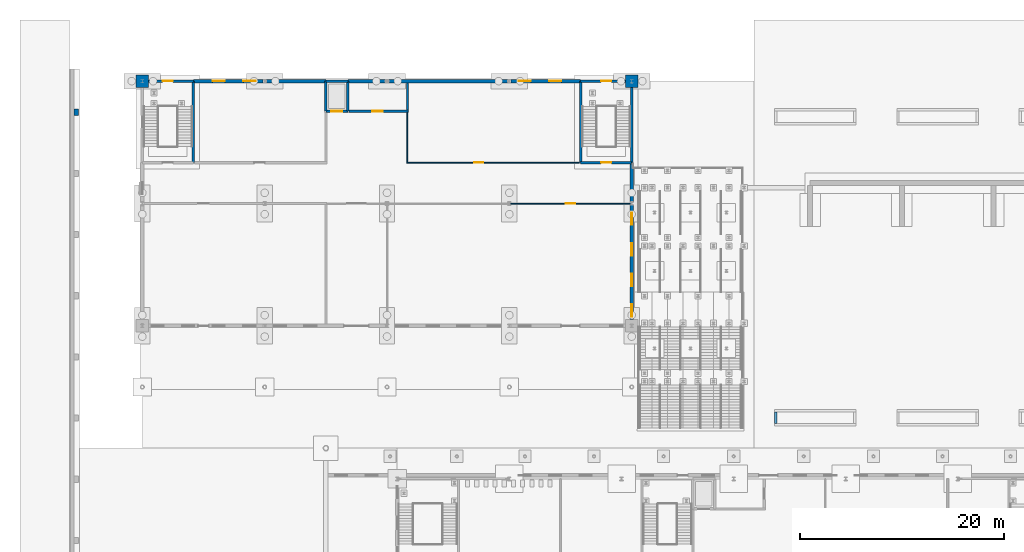
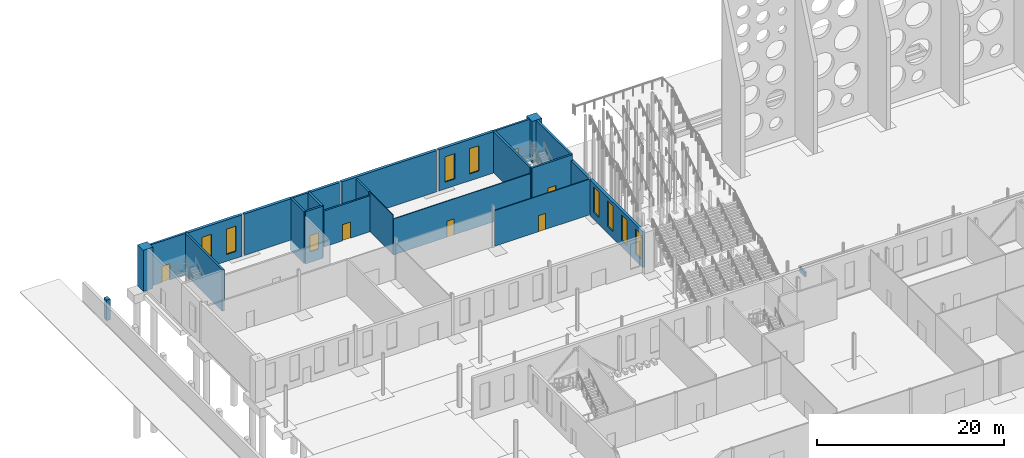
# One storey, part 75 of 132: 26 walls, 8 windows, 7 doors, 15 openings.
"""IFC4 building model written with IfcOpenShell, lengths in metres."""

from ifc_helpers import new_model, si_unit, direction, frame, frame_2d, origin, place, context, subcontext, project, spatial, rectangle, extrude, material, layer, layer_set, type_object, element, fill, save


model = new_model("IFC4")

# Units and contexts
model_context = context("Model", 3, precision=1e-05, world=origin(), true_north=direction((0.0, 1.0)))
body_context = subcontext(model_context, "Body", "Model", "MODEL_VIEW")
ifc_project = project(units=[si_unit("LENGTHUNIT", "METRE"), si_unit("AREAUNIT", "SQUARE_METRE"), si_unit("VOLUMEUNIT", "CUBIC_METRE"), si_unit("PLANEANGLEUNIT", "RADIAN"), si_unit("MASSUNIT", "GRAM", prefix="KILO")], contexts=[model_context])

# Site, building, storey
site_placement = place(None, origin())
site = spatial("IfcSite", under=ifc_project, at=site_placement, CompositionType="ELEMENT")
building_placement = place(site_placement, origin())
building = spatial("IfcBuilding", under=site, at=building_placement, Name="Ravi Spectrum Wholesale Market", CompositionType="ELEMENT")
storey_placement = place(building_placement, origin())
storey = spatial("IfcBuildingStorey", under=building, at=storey_placement, Name="L00", CompositionType="ELEMENT", Elevation=0.0)

# Wall, opening, door
ifc_material_1 = material(Name="Concrete blockwork", Category="masonry")
ifc_layer_1 = layer(ifc_material_1, 0.199951171875)
ifc_layer_set_1 = layer_set([ifc_layer_1], Name="Concrete blockwork")
wall_type_1 = type_object("IfcWallType", Name="Blockwork partition 200 fire", PredefinedType="PARTITIONING", material=ifc_layer_set_1)
wall_1_placement = place(storey_placement, frame((32.27490234375, 231.050048828125, 0.0), z_axis=(0.0, 0.0, 1.0), x_axis=(1.0, 0.0, 0.0)))
wall_1 = element("IfcWall", 1, at=wall_1_placement, inside=storey, type_object=wall_type_1, Name="OF-WL-L00-033", PredefinedType="PARTITIONING", context=body_context, shape_type="SweptSolid", body=[
    extrude(rectangle(XDim=5.8251953125, YDim=0.199951171875, at=frame_2d((2.91259765625, 0.0))), origin(), (0.0, 0.0, 1.0), 4.699951171875),
])
opening_1_placement = place(wall_1_placement, frame((2.300048828125, 0.0, 0.0)))
opening_1 = element("IfcOpeningElement", 2, at=opening_1_placement, cuts=wall_1, Name="Opening D614", PredefinedType="OPENING", context=body_context, shape_type="SweptSolid", body=[
    extrude(rectangle(XDim=1.0, YDim=2.10009765625, at=frame_2d((0.5, 1.050048828125))), frame((0.0, 0.10986328125, 0.0), z_axis=(0.0, -1.0, 0.0), x_axis=(1.0, 0.0, 0.0)), (0.0, 0.0, 1.0), 0.219970703125),
])
ifc_material_2 = material(Name="Steel door", Category="steel")
door_type_1 = type_object("IfcDoorType", Name="Plant room door 1000 x 2100", OperationType="SINGLE_SWING_LEFT", PredefinedType="DOOR", material=ifc_material_2)
door_1_placement = place(opening_1_placement, origin())
door_1 = element("IfcDoor", 3, at=door_1_placement, inside=storey, type_object=door_type_1, Name="Riser access door D614", OperationType="SINGLE_SWING_RIGHT", OverallHeight=2.10009765625, OverallWidth=1.0, PredefinedType="DOOR", context=body_context, shape_type="SweptSolid", body=[
    extrude(rectangle(XDim=1.0, YDim=2.10009765625, at=frame_2d((0.5, 1.050048828125))), frame((0.0, 0.02490234375, 0.0), z_axis=(0.0, -1.0, 0.0), x_axis=(1.0, 0.0, 0.0)), (0.0, 0.0, 1.0), 0.050048828125),
])
fill(opening_1, door_1)

# Wall
wall_2_placement = place(storey_placement, frame((38.0, 231.14990234375, 0.0), z_axis=(0.0, 0.0, 1.0), x_axis=(0.0, 1.0, 0.0)))
element("IfcWall", 4, at=wall_2_placement, inside=storey, type_object=wall_type_1, Name="OF-WL-L00-038", PredefinedType="PARTITIONING", context=body_context, shape_type="SweptSolid", body=[
    extrude(rectangle(XDim=2.68017578125, YDim=0.199951171875, at=frame_2d((1.340087890625, 0.0))), origin(), (0.0, 0.0, 1.0), 5.14990234375),
])

# Wall, openings, windows
ifc_material_3 = material(Name="Clinker brickwork", Category="masonry")
ifc_layer_2 = layer(ifc_material_3, 0.340087890625)
ifc_layer_set_2 = layer_set([ifc_layer_2], Name="Clinker brickwork")
wall_type_2 = type_object("IfcWallType", Name="Brick 340 clinker", PredefinedType="SOLIDWALL", material=ifc_layer_set_2)
wall_3_placement = place(storey_placement, frame((17.0, 234.0, 0.0), z_axis=(0.0, 0.0, 1.0), x_axis=(1.0, 0.0, 0.0)))
wall_3 = element("IfcWall", 5, at=wall_3_placement, inside=storey, type_object=wall_type_2, Name="OF-WL-L00-013", PredefinedType="SOLIDWALL", context=body_context, shape_type="SweptSolid", body=[
    extrude(rectangle(XDim=6.85009765625, YDim=0.340087890625, at=frame_2d((3.425048828125, 0.0))), origin(), (0.0, 0.0, 1.0), 5.39990234375),
])
opening_2_placement = place(wall_3_placement, frame((1.89990234375, 0.0, 0.89990234375)))
opening_2 = element("IfcOpeningElement", 6, at=opening_2_placement, cuts=wall_3, Name="Opening W3212", PredefinedType="OPENING", context=body_context, shape_type="SweptSolid", body=[
    extrude(rectangle(XDim=1.199951171875, YDim=3.300048828125, at=frame_2d((0.60009765625, 1.64990234375))), frame((0.0, 0.179931640625, 0.0), z_axis=(0.0, -1.0, 0.0), x_axis=(1.0, 0.0, 0.0)), (0.0, 0.0, 1.0), 0.360107421875),
])
opening_3_placement = place(wall_3_placement, frame((4.89990234375, 0.0, 0.89990234375)))
opening_3 = element("IfcOpeningElement", 7, at=opening_3_placement, cuts=wall_3, Name="Opening W3213", PredefinedType="OPENING", context=body_context, shape_type="SweptSolid", body=[
    extrude(rectangle(XDim=1.199951171875, YDim=3.300048828125, at=frame_2d((0.60009765625, 1.64990234375))), frame((0.0, 0.179931640625, 0.0), z_axis=(0.0, -1.0, 0.0), x_axis=(1.0, 0.0, 0.0)), (0.0, 0.0, 1.0), 0.360107421875),
])
ifc_material_4 = material(Name="Steel window frame", Category="steel")
window_type = type_object("IfcWindowType", Name="Tall pier window 1200 x 3300", PartitioningType="SINGLE_PANEL", PredefinedType="WINDOW", material=ifc_material_4)
window_1_placement = place(opening_2_placement, origin())
window_1 = element("IfcWindow", 8, at=window_1_placement, inside=storey, type_object=window_type, Name="Window W3212", OverallHeight=3.300048828125, OverallWidth=1.199951171875, PartitioningType="SINGLE_PANEL", PredefinedType="WINDOW", context=body_context, shape_type="SweptSolid", body=[
    extrude(rectangle(XDim=1.199951171875, YDim=3.300048828125, at=frame_2d((0.60009765625, 1.64990234375))), frame((0.0, 0.030029296875, 0.0), z_axis=(0.0, -1.0, 0.0), x_axis=(1.0, 0.0, 0.0)), (0.0, 0.0, 1.0), 0.06005859375),
])
fill(opening_2, window_1)
window_2_placement = place(opening_3_placement, origin())
window_2 = element("IfcWindow", 9, at=window_2_placement, inside=storey, type_object=window_type, Name="Window W3213", OverallHeight=3.300048828125, OverallWidth=1.199951171875, PartitioningType="SINGLE_PANEL", PredefinedType="WINDOW", context=body_context, shape_type="SweptSolid", body=[
    extrude(rectangle(XDim=1.199951171875, YDim=3.300048828125, at=frame_2d((0.60009765625, 1.64990234375))), frame((0.0, 0.030029296875, 0.0), z_axis=(0.0, -1.0, 0.0), x_axis=(1.0, 0.0, 0.0)), (0.0, 0.0, 1.0), 0.06005859375),
])
fill(opening_3, window_2)

# Walls
wall_4_placement = place(storey_placement, frame((24.14990234375, 234.0, 0.0), z_axis=(0.0, 0.0, 1.0), x_axis=(1.0, 0.0, 0.0)))
element("IfcWall", 10, at=wall_4_placement, inside=storey, type_object=wall_type_2, Name="OF-WL-L00-014", PredefinedType="SOLIDWALL", context=body_context, shape_type="SweptSolid", body=[
    extrude(rectangle(XDim=5.85009765625, YDim=0.340087890625, at=frame_2d((2.925048828125, 0.0))), origin(), (0.0, 0.0, 1.0), 5.39990234375),
])
wall_5_placement = place(storey_placement, frame((32.14990234375, 234.0, 0.0), z_axis=(0.0, 0.0, 1.0), x_axis=(1.0, 0.0, 0.0)))
element("IfcWall", 11, at=wall_5_placement, inside=storey, type_object=wall_type_2, Name="OF-WL-L00-015", PredefinedType="SOLIDWALL", context=body_context, shape_type="SweptSolid", body=[
    extrude(rectangle(XDim=3.7001953125, YDim=0.340087890625, at=frame_2d((1.85009765625, 0.0))), origin(), (0.0, 0.0, 1.0), 5.39990234375),
])
wall_6_placement = place(storey_placement, frame((36.14990234375, 234.0, 0.0), z_axis=(0.0, 0.0, 1.0), x_axis=(1.0, 0.0, 0.0)))
element("IfcWall", 12, at=wall_6_placement, inside=storey, type_object=wall_type_2, Name="OF-WL-L00-016", PredefinedType="SOLIDWALL", context=body_context, shape_type="SweptSolid", body=[
    extrude(rectangle(XDim=11.7001953125, YDim=0.340087890625, at=frame_2d((5.85009765625, 0.0))), origin(), (0.0, 0.0, 1.0), 5.39990234375),
])

# Wall, openings, windows
wall_7_placement = place(storey_placement, frame((48.14990234375, 234.0, 0.0), z_axis=(0.0, 0.0, 1.0), x_axis=(1.0, 0.0, 0.0)))
wall_7 = element("IfcWall", 13, at=wall_7_placement, inside=storey, type_object=wall_type_2, Name="OF-WL-L00-017", PredefinedType="SOLIDWALL", context=body_context, shape_type="SweptSolid", body=[
    extrude(rectangle(XDim=6.85009765625, YDim=0.340087890625, at=frame_2d((3.425048828125, 0.0))), origin(), (0.0, 0.0, 1.0), 5.39990234375),
])
opening_4_placement = place(wall_7_placement, frame((0.75, 0.0, 0.89990234375)))
opening_4 = element("IfcOpeningElement", 14, at=opening_4_placement, cuts=wall_7, Name="Opening W3214", PredefinedType="OPENING", context=body_context, shape_type="SweptSolid", body=[
    extrude(rectangle(XDim=1.199951171875, YDim=3.300048828125, at=frame_2d((0.60009765625, 1.64990234375))), frame((0.0, 0.179931640625, 0.0), z_axis=(0.0, -1.0, 0.0), x_axis=(1.0, 0.0, 0.0)), (0.0, 0.0, 1.0), 0.360107421875),
])
opening_5_placement = place(wall_7_placement, frame((3.75, 0.0, 0.89990234375)))
opening_5 = element("IfcOpeningElement", 15, at=opening_5_placement, cuts=wall_7, Name="Opening W3215", PredefinedType="OPENING", context=body_context, shape_type="SweptSolid", body=[
    extrude(rectangle(XDim=1.199951171875, YDim=3.300048828125, at=frame_2d((0.60009765625, 1.64990234375))), frame((0.0, 0.179931640625, 0.0), z_axis=(0.0, -1.0, 0.0), x_axis=(1.0, 0.0, 0.0)), (0.0, 0.0, 1.0), 0.360107421875),
])
window_3_placement = place(opening_4_placement, origin())
window_3 = element("IfcWindow", 16, at=window_3_placement, inside=storey, type_object=window_type, Name="Window W3214", OverallHeight=3.300048828125, OverallWidth=1.199951171875, PartitioningType="SINGLE_PANEL", PredefinedType="WINDOW", context=body_context, shape_type="SweptSolid", body=[
    extrude(rectangle(XDim=1.199951171875, YDim=3.300048828125, at=frame_2d((0.60009765625, 1.64990234375))), frame((0.0, 0.030029296875, 0.0), z_axis=(0.0, -1.0, 0.0), x_axis=(1.0, 0.0, 0.0)), (0.0, 0.0, 1.0), 0.06005859375),
])
fill(opening_4, window_3)
window_4_placement = place(opening_5_placement, origin())
window_4 = element("IfcWindow", 17, at=window_4_placement, inside=storey, type_object=window_type, Name="Window W3215", OverallHeight=3.300048828125, OverallWidth=1.199951171875, PartitioningType="SINGLE_PANEL", PredefinedType="WINDOW", context=body_context, shape_type="SweptSolid", body=[
    extrude(rectangle(XDim=1.199951171875, YDim=3.300048828125, at=frame_2d((0.60009765625, 1.64990234375))), frame((0.0, 0.030029296875, 0.0), z_axis=(0.0, -1.0, 0.0), x_axis=(1.0, 0.0, 0.0)), (0.0, 0.0, 1.0), 0.06005859375),
])
fill(opening_5, window_4)

wall_8_placement = place(storey_placement, frame((60.0, 210.60009765625, 0.0), z_axis=(0.0, 0.0, 1.0), x_axis=(0.0, 1.0, 0.0)))
wall_8 = element("IfcWall", 18, at=wall_8_placement, inside=storey, type_object=wall_type_2, Name="OF-WL-L00-020", PredefinedType="SOLIDWALL", context=body_context, shape_type="SweptSolid", body=[
    extrude(rectangle(XDim=11.25, YDim=0.340087890625, at=frame_2d((5.625, 0.0))), origin(), (0.0, 0.0, 1.0), 4.699951171875),
])
opening_6_placement = place(wall_8_placement, frame((0.300048828125, 0.0, 0.89990234375)))
opening_6 = element("IfcOpeningElement", 19, at=opening_6_placement, cuts=wall_8, Name="Opening W3217", PredefinedType="OPENING", context=body_context, shape_type="SweptSolid", body=[
    extrude(rectangle(XDim=1.199951171875, YDim=3.300048828125, at=frame_2d((0.60009765625, 1.64990234375))), frame((0.0, 0.179931640625, 0.0), z_axis=(0.0, -1.0, 0.0), x_axis=(1.0, 0.0, 0.0)), (0.0, 0.0, 1.0), 0.360107421875),
])
opening_7_placement = place(wall_8_placement, frame((3.300048828125, 0.0, 0.89990234375)))
opening_7 = element("IfcOpeningElement", 20, at=opening_7_placement, cuts=wall_8, Name="Opening W3218", PredefinedType="OPENING", context=body_context, shape_type="SweptSolid", body=[
    extrude(rectangle(XDim=1.199951171875, YDim=3.300048828125, at=frame_2d((0.60009765625, 1.64990234375))), frame((0.0, 0.179931640625, 0.0), z_axis=(0.0, -1.0, 0.0), x_axis=(1.0, 0.0, 0.0)), (0.0, 0.0, 1.0), 0.360107421875),
])
opening_8_placement = place(wall_8_placement, frame((6.300048828125, 0.0, 0.89990234375)))
opening_8 = element("IfcOpeningElement", 21, at=opening_8_placement, cuts=wall_8, Name="Opening W3219", PredefinedType="OPENING", context=body_context, shape_type="SweptSolid", body=[
    extrude(rectangle(XDim=1.199951171875, YDim=3.300048828125, at=frame_2d((0.60009765625, 1.64990234375))), frame((0.0, 0.179931640625, 0.0), z_axis=(0.0, -1.0, 0.0), x_axis=(1.0, 0.0, 0.0)), (0.0, 0.0, 1.0), 0.360107421875),
])
opening_9_placement = place(wall_8_placement, frame((9.300048828125, 0.0, 0.89990234375)))
opening_9 = element("IfcOpeningElement", 22, at=opening_9_placement, cuts=wall_8, Name="Opening W3220", PredefinedType="OPENING", context=body_context, shape_type="SweptSolid", body=[
    extrude(rectangle(XDim=1.199951171875, YDim=3.300048828125, at=frame_2d((0.60009765625, 1.64990234375))), frame((0.0, 0.179931640625, 0.0), z_axis=(0.0, -1.0, 0.0), x_axis=(1.0, 0.0, 0.0)), (0.0, 0.0, 1.0), 0.360107421875),
])
window_5_placement = place(opening_6_placement, origin())
window_5 = element("IfcWindow", 23, at=window_5_placement, inside=storey, type_object=window_type, Name="Window W3217", OverallHeight=3.300048828125, OverallWidth=1.199951171875, PartitioningType="SINGLE_PANEL", PredefinedType="WINDOW", context=body_context, shape_type="SweptSolid", body=[
    extrude(rectangle(XDim=1.199951171875, YDim=3.300048828125, at=frame_2d((0.60009765625, 1.64990234375))), frame((0.0, 0.030029296875, 0.0), z_axis=(0.0, -1.0, 0.0), x_axis=(1.0, 0.0, 0.0)), (0.0, 0.0, 1.0), 0.06005859375),
])
fill(opening_6, window_5)
window_6_placement = place(opening_7_placement, origin())
window_6 = element("IfcWindow", 24, at=window_6_placement, inside=storey, type_object=window_type, Name="Window W3218", OverallHeight=3.300048828125, OverallWidth=1.199951171875, PartitioningType="SINGLE_PANEL", PredefinedType="WINDOW", context=body_context, shape_type="SweptSolid", body=[
    extrude(rectangle(XDim=1.199951171875, YDim=3.300048828125, at=frame_2d((0.60009765625, 1.64990234375))), frame((0.0, 0.030029296875, 0.0), z_axis=(0.0, -1.0, 0.0), x_axis=(1.0, 0.0, 0.0)), (0.0, 0.0, 1.0), 0.06005859375),
])
fill(opening_7, window_6)
window_7_placement = place(opening_8_placement, origin())
window_7 = element("IfcWindow", 25, at=window_7_placement, inside=storey, type_object=window_type, Name="Window W3219", OverallHeight=3.300048828125, OverallWidth=1.199951171875, PartitioningType="SINGLE_PANEL", PredefinedType="WINDOW", context=body_context, shape_type="SweptSolid", body=[
    extrude(rectangle(XDim=1.199951171875, YDim=3.300048828125, at=frame_2d((0.60009765625, 1.64990234375))), frame((0.0, 0.030029296875, 0.0), z_axis=(0.0, -1.0, 0.0), x_axis=(1.0, 0.0, 0.0)), (0.0, 0.0, 1.0), 0.06005859375),
])
fill(opening_8, window_7)
window_8_placement = place(opening_9_placement, origin())
window_8 = element("IfcWindow", 26, at=window_8_placement, inside=storey, type_object=window_type, Name="Window W3220", OverallHeight=3.300048828125, OverallWidth=1.199951171875, PartitioningType="SINGLE_PANEL", PredefinedType="WINDOW", context=body_context, shape_type="SweptSolid", body=[
    extrude(rectangle(XDim=1.199951171875, YDim=3.300048828125, at=frame_2d((0.60009765625, 1.64990234375))), frame((0.0, 0.030029296875, 0.0), z_axis=(0.0, -1.0, 0.0), x_axis=(1.0, 0.0, 0.0)), (0.0, 0.0, 1.0), 0.06005859375),
])
fill(opening_9, window_8)

# Walls
wall_9_placement = place(storey_placement, frame((60.0, 222.14990234375, 0.0), z_axis=(0.0, 0.0, 1.0), x_axis=(0.0, 1.0, 0.0)))
element("IfcWall", 27, at=wall_9_placement, inside=storey, type_object=wall_type_2, Name="OF-WL-L00-021", PredefinedType="SOLIDWALL", context=body_context, shape_type="SweptSolid", body=[
    extrude(rectangle(XDim=3.85009765625, YDim=0.340087890625, at=frame_2d((1.925048828125, 0.0))), origin(), (0.0, 0.0, 1.0), 4.699951171875),
])
ifc_material_5 = material(Name="Clinker brickwork", Category="masonry")
ifc_layer_3 = layer(ifc_material_5, 0.4599609375)
ifc_layer_set_3 = layer_set([ifc_layer_3], Name="Clinker brickwork")
wall_type_3 = type_object("IfcWallType", Name="Brick 460 pier wall", PredefinedType="SOLIDWALL", material=ifc_layer_set_3)
wall_10_placement = place(storey_placement, frame((5.52001953125, 230.64990234375, 0.0), z_axis=(0.0, 0.0, 1.0), x_axis=(0.0, 1.0, 0.0)))
element("IfcWall", 28, at=wall_10_placement, inside=storey, type_object=wall_type_3, Name="ST-WL-L00-037", PredefinedType="SOLIDWALL", context=body_context, shape_type="SweptSolid", body=[
    extrude(rectangle(XDim=0.60009765625, YDim=0.4599609375, at=frame_2d((0.300048828125, 0.0))), origin(), (0.0, 0.0, 1.0), 2.699951171875),
])
ifc_material_6 = material(Name="Clinker brickwork", Category="masonry")
ifc_layer_4 = layer(ifc_material_6, 1.199951171875)
ifc_layer_set_4 = layer_set([ifc_layer_4], Name="Clinker brickwork")
wall_type_4 = type_object("IfcWallType", Name="Brick corner pier 1200", PredefinedType="SOLIDWALL", material=ifc_layer_set_4)
for number, where, z_axis, x_axis, name in (
    (29, (11.39990234375, 234.0, 0.0), (0.0, 0.0, 1.0), (1.0, 0.0, 0.0), "Corner pier"),
    (30, (59.39990234375, 234.0, 0.0), (0.0, 0.0, 1.0), (1.0, 0.0, 0.0), "Corner pier"),
):
    element("IfcWall", number, at=place(storey_placement, frame(where, z_axis=z_axis, x_axis=x_axis)), inside=storey, type_object=wall_type_4, Name=name, PredefinedType="SOLIDWALL", context=body_context, shape_type="SweptSolid", body=[
        extrude(rectangle(XDim=1.2001953125, YDim=1.199951171875, at=frame_2d((0.60009765625, 0.0))), origin(), (0.0, 0.0, 1.0), 5.39990234375),
    ])
ifc_material_7 = material(Name="Concrete C35/45", Category="concrete")
ifc_layer_5 = layer(ifc_material_7, 0.25)
ifc_layer_set_5 = layer_set([ifc_layer_5], Name="Concrete C35/45")
wall_type_5 = type_object("IfcWallType", Name="Concrete core wall 250", PredefinedType="SHEAR", material=ifc_layer_set_5)
wall_11_placement = place(storey_placement, frame((17.0, 226.0, 0.0), z_axis=(0.0, 0.0, 1.0), x_axis=(0.0, 1.0, 0.0)))
element("IfcWall", 31, at=wall_11_placement, inside=storey, type_object=wall_type_5, Name="Stair core wall Stair S-OF-1", PredefinedType="SHEAR", context=body_context, shape_type="SweptSolid", body=[
    extrude(rectangle(XDim=8.0, YDim=0.25, at=frame_2d((4.0, 0.0))), origin(), (0.0, 0.0, 1.0), 5.39990234375),
])

# Wall, opening, door
wall_12_placement = place(storey_placement, frame((12.60009765625, 234.0, 0.0), z_axis=(0.0, 0.0, 1.0), x_axis=(1.0, 0.0, 0.0)))
wall_12 = element("IfcWall", 32, at=wall_12_placement, inside=storey, type_object=wall_type_5, Name="Stair core wall Stair S-OF-1", PredefinedType="SHEAR", context=body_context, shape_type="SweptSolid", body=[
    extrude(rectangle(XDim=4.39990234375, YDim=0.25, at=frame_2d((2.199951171875, 0.0))), origin(), (0.0, 0.0, 1.0), 5.39990234375),
])
opening_10_placement = place(wall_12_placement, frame((1.39990234375, 0.0, 0.0)))
opening_10 = element("IfcOpeningElement", 33, at=opening_10_placement, cuts=wall_12, Name="Opening D612", PredefinedType="OPENING", context=body_context, shape_type="SweptSolid", body=[
    extrude(rectangle(XDim=1.0, YDim=2.10009765625, at=frame_2d((0.5, 1.050048828125))), frame((0.0, 0.135009765625, 0.0), z_axis=(0.0, -1.0, 0.0), x_axis=(1.0, 0.0, 0.0)), (0.0, 0.0, 1.0), 0.27001953125),
])
ifc_material_8 = material(Name="Steel door", Category="steel")
door_type_2 = type_object("IfcDoorType", Name="Pedestrian exit door 1000 x 2100", OperationType="SINGLE_SWING_LEFT", PredefinedType="DOOR", material=ifc_material_8)
door_2_placement = place(opening_10_placement, origin())
door_2 = element("IfcDoor", 34, at=door_2_placement, inside=storey, type_object=door_type_2, Name="Door D612", OperationType="SINGLE_SWING_RIGHT", OverallHeight=2.10009765625, OverallWidth=1.0, PredefinedType="DOOR", context=body_context, shape_type="SweptSolid", body=[
    extrude(rectangle(XDim=1.0, YDim=2.10009765625, at=frame_2d((0.5, 1.050048828125))), frame((0.0, 0.02490234375, 0.0), z_axis=(0.0, -1.0, 0.0), x_axis=(1.0, 0.0, 0.0)), (0.0, 0.0, 1.0), 0.050048828125),
])
fill(opening_10, door_2)

wall_13_placement = place(storey_placement, frame((55.0, 226.0, 0.0), z_axis=(0.0, 0.0, 1.0), x_axis=(1.0, 0.0, 0.0)))
wall_13 = element("IfcWall", 35, at=wall_13_placement, inside=storey, type_object=wall_type_5, Name="Stair core wall Stair S-OF-2", PredefinedType="SHEAR", context=body_context, shape_type="SweptSolid", body=[
    extrude(rectangle(XDim=5.0, YDim=0.25, at=frame_2d((2.5, 0.0))), origin(), (0.0, 0.0, 1.0), 5.39990234375),
])
opening_11_placement = place(wall_13_placement, frame((2.0, 0.0, 0.0)))
opening_11 = element("IfcOpeningElement", 36, at=opening_11_placement, cuts=wall_13, Name="Opening D609", PredefinedType="OPENING", context=body_context, shape_type="SweptSolid", body=[
    extrude(rectangle(XDim=1.0, YDim=2.10009765625, at=frame_2d((0.5, 1.050048828125))), frame((0.0, 0.135009765625, 0.0), z_axis=(0.0, -1.0, 0.0), x_axis=(1.0, 0.0, 0.0)), (0.0, 0.0, 1.0), 0.27001953125),
])
ifc_material_9 = material(Name="Steel door", Category="steel")
door_type_3 = type_object("IfcDoorType", Name="Stair door 1000 x 2100", OperationType="SINGLE_SWING_LEFT", PredefinedType="DOOR", material=ifc_material_9)
door_3_placement = place(opening_11_placement, origin())
door_3 = element("IfcDoor", 37, at=door_3_placement, inside=storey, type_object=door_type_3, Name="Door D609", OperationType="SINGLE_SWING_RIGHT", OverallHeight=2.10009765625, OverallWidth=1.0, PredefinedType="DOOR", context=body_context, shape_type="SweptSolid", body=[
    extrude(rectangle(XDim=1.0, YDim=2.10009765625, at=frame_2d((0.5, 1.050048828125))), frame((0.0, 0.02490234375, 0.0), z_axis=(0.0, -1.0, 0.0), x_axis=(1.0, 0.0, 0.0)), (0.0, 0.0, 1.0), 0.050048828125),
])
fill(opening_11, door_3)

# Wall
wall_14_placement = place(storey_placement, frame((60.0, 226.0, 0.0), z_axis=(0.0, 0.0, 1.0), x_axis=(0.0, 1.0, 0.0)))
element("IfcWall", 38, at=wall_14_placement, inside=storey, type_object=wall_type_5, Name="Stair core wall Stair S-OF-2", PredefinedType="SHEAR", context=body_context, shape_type="SweptSolid", body=[
    extrude(rectangle(XDim=7.39990234375, YDim=0.25, at=frame_2d((3.699951171875, 0.0))), origin(), (0.0, 0.0, 1.0), 5.39990234375),
])

# Wall, opening, door
wall_15_placement = place(storey_placement, frame((55.0, 234.0, 0.0), z_axis=(0.0, 0.0, 1.0), x_axis=(1.0, 0.0, 0.0)))
wall_15 = element("IfcWall", 39, at=wall_15_placement, inside=storey, type_object=wall_type_5, Name="Stair core wall Stair S-OF-2", PredefinedType="SHEAR", context=body_context, shape_type="SweptSolid", body=[
    extrude(rectangle(XDim=4.39990234375, YDim=0.25, at=frame_2d((2.199951171875, 0.0))), origin(), (0.0, 0.0, 1.0), 5.39990234375),
])
opening_12_placement = place(wall_15_placement, frame((2.0, 0.0, 0.0)))
opening_12 = element("IfcOpeningElement", 40, at=opening_12_placement, cuts=wall_15, Name="Opening D613", PredefinedType="OPENING", context=body_context, shape_type="SweptSolid", body=[
    extrude(rectangle(XDim=1.0, YDim=2.10009765625, at=frame_2d((0.5, 1.050048828125))), frame((0.0, 0.135009765625, 0.0), z_axis=(0.0, -1.0, 0.0), x_axis=(1.0, 0.0, 0.0)), (0.0, 0.0, 1.0), 0.27001953125),
])
door_4_placement = place(opening_12_placement, origin())
door_4 = element("IfcDoor", 41, at=door_4_placement, inside=storey, type_object=door_type_2, Name="Door D613", OperationType="SINGLE_SWING_LEFT", OverallHeight=2.10009765625, OverallWidth=1.0, PredefinedType="DOOR", context=body_context, shape_type="SweptSolid", body=[
    extrude(rectangle(XDim=1.0, YDim=2.10009765625, at=frame_2d((0.5, 1.050048828125))), frame((0.0, 0.02490234375, 0.0), z_axis=(0.0, -1.0, 0.0), x_axis=(1.0, 0.0, 0.0)), (0.0, 0.0, 1.0), 0.050048828125),
])
fill(opening_12, door_4)

# Wall
wall_16_placement = place(storey_placement, frame((55.0, 226.0, 0.0), z_axis=(0.0, 0.0, 1.0), x_axis=(0.0, 1.0, 0.0)))
element("IfcWall", 42, at=wall_16_placement, inside=storey, type_object=wall_type_5, Name="Stair core wall Stair S-OF-2", PredefinedType="SHEAR", context=body_context, shape_type="SweptSolid", body=[
    extrude(rectangle(XDim=8.0, YDim=0.25, at=frame_2d((4.0, 0.0))), origin(), (0.0, 0.0, 1.0), 5.39990234375),
])

# Wall, opening, door
ifc_material_10 = material(Name="Gypsum board partition")
ifc_layer_6 = layer(ifc_material_10, 0.10009765625)
ifc_layer_set_6 = layer_set([ifc_layer_6], Name="Gypsum board partition")
wall_type_6 = type_object("IfcWallType", Name="Drywall partition 100", PredefinedType="PARTITIONING", material=ifc_layer_set_6)
wall_17_placement = place(storey_placement, frame((48.14990234375, 222.0, 0.0), z_axis=(0.0, 0.0, 1.0), x_axis=(1.0, 0.0, 0.0)))
wall_17 = element("IfcWall", 43, at=wall_17_placement, inside=storey, type_object=wall_type_6, Name="OF-WL-L00-030", PredefinedType="PARTITIONING", context=body_context, shape_type="SweptSolid", body=[
    extrude(rectangle(XDim=11.7001953125, YDim=0.10009765625, at=frame_2d((5.85009765625, 0.0))), origin(), (0.0, 0.0, 1.0), 4.64990234375),
])
opening_13_placement = place(wall_17_placement, frame((5.39990234375, 0.0, 0.0)))
opening_13 = element("IfcOpeningElement", 44, at=opening_13_placement, cuts=wall_17, Name="Opening D602", PredefinedType="OPENING", context=body_context, shape_type="SweptSolid", body=[
    extrude(rectangle(XDim=0.89990234375, YDim=2.10009765625, at=frame_2d((0.449951171875, 1.050048828125))), frame((0.0, 0.06005859375, 0.0), z_axis=(0.0, -1.0, 0.0), x_axis=(1.0, 0.0, 0.0)), (0.0, 0.0, 1.0), 0.1201171875),
])
ifc_material_11 = material(Name="Timber door", Category="wood")
door_type_4 = type_object("IfcDoorType", Name="Office door 900 x 2100", OperationType="SINGLE_SWING_LEFT", PredefinedType="DOOR", material=ifc_material_11)
door_5_placement = place(opening_13_placement, origin())
door_5 = element("IfcDoor", 45, at=door_5_placement, inside=storey, type_object=door_type_4, Name="Door D602", OperationType="SINGLE_SWING_LEFT", OverallHeight=2.10009765625, OverallWidth=0.89990234375, PredefinedType="DOOR", context=body_context, shape_type="SweptSolid", body=[
    extrude(rectangle(XDim=0.89990234375, YDim=2.10009765625, at=frame_2d((0.449951171875, 1.050048828125))), frame((0.0, 0.02490234375, 0.0), z_axis=(0.0, -1.0, 0.0), x_axis=(1.0, 0.0, 0.0)), (0.0, 0.0, 1.0), 0.050048828125),
])
fill(opening_13, door_5)

wall_18_placement = place(storey_placement, frame((37.949951171875, 226.0, 0.0), z_axis=(0.0, 0.0, 1.0), x_axis=(1.0, 0.0, 0.0)))
wall_18 = element("IfcWall", 46, at=wall_18_placement, inside=storey, type_object=wall_type_6, Name="OF-WL-L00-032", PredefinedType="PARTITIONING", context=body_context, shape_type="SweptSolid", body=[
    extrude(rectangle(XDim=16.925048828125, YDim=0.10009765625, at=frame_2d((8.46240234375, 0.0))), origin(), (0.0, 0.0, 1.0), 4.699951171875),
])
opening_14_placement = place(wall_18_placement, frame((6.60009765625, 0.0, 0.0)))
opening_14 = element("IfcOpeningElement", 47, at=opening_14_placement, cuts=wall_18, Name="Opening D607", PredefinedType="OPENING", context=body_context, shape_type="SweptSolid", body=[
    extrude(rectangle(XDim=0.89990234375, YDim=2.10009765625, at=frame_2d((0.449951171875, 1.050048828125))), frame((0.0, 0.06005859375, 0.0), z_axis=(0.0, -1.0, 0.0), x_axis=(1.0, 0.0, 0.0)), (0.0, 0.0, 1.0), 0.1201171875),
])
door_6_placement = place(opening_14_placement, origin())
door_6 = element("IfcDoor", 48, at=door_6_placement, inside=storey, type_object=door_type_4, Name="Door D607", OperationType="SINGLE_SWING_LEFT", OverallHeight=2.10009765625, OverallWidth=0.89990234375, PredefinedType="DOOR", context=body_context, shape_type="SweptSolid", body=[
    extrude(rectangle(XDim=0.89990234375, YDim=2.10009765625, at=frame_2d((0.449951171875, 1.050048828125))), frame((0.0, 0.02490234375, 0.0), z_axis=(0.0, -1.0, 0.0), x_axis=(1.0, 0.0, 0.0)), (0.0, 0.0, 1.0), 0.050048828125),
])
fill(opening_14, door_6)

# Walls
wall_19_placement = place(storey_placement, frame((38.0, 226.050048828125, 0.0), z_axis=(0.0, 0.0, 1.0), x_axis=(0.0, 1.0, 0.0)))
element("IfcWall", 49, at=wall_19_placement, inside=storey, type_object=wall_type_6, Name="OF-WL-L00-037", PredefinedType="PARTITIONING", context=body_context, shape_type="SweptSolid", body=[
    extrude(rectangle(XDim=4.89990234375, YDim=0.10009765625, at=frame_2d((2.449951171875, 0.0))), origin(), (0.0, 0.0, 1.0), 5.14990234375),
])
ifc_material_12 = material(Name="Facing brickwork", Category="masonry")
ifc_layer_7 = layer(ifc_material_12, 0.22998046875)
ifc_layer_set_7 = layer_set([ifc_layer_7], Name="Facing brickwork")
wall_type_7 = type_object("IfcWallType", Name="Planter wall 230 facing brick", PredefinedType="STANDARD", material=ifc_layer_set_7)
wall_20_placement = place(storey_placement, frame((74.114990234375, 200.429931640625, 0.0), z_axis=(0.0, 0.0, 1.0), x_axis=(0.0, 1.0, 0.0)))
element("IfcWall", 50, at=wall_20_placement, inside=storey, type_object=wall_type_7, Name="ST-WL-L00-071", PredefinedType="STANDARD", context=body_context, shape_type="SweptSolid", body=[
    extrude(rectangle(XDim=1.14013671875, YDim=0.22998046875, at=frame_2d((0.570068359375, 0.0))), origin(), (0.0, 0.0, 1.0), 0.60009765625),
])
ifc_material_13 = material(Name="Concrete C35/45", Category="concrete")
ifc_layer_8 = layer(ifc_material_13, 0.25)
ifc_layer_set_8 = layer_set([ifc_layer_8], Name="Concrete C35/45")
wall_type_8 = type_object("IfcWallType", Name="Shaft wall 250", PredefinedType="SHEAR", material=ifc_layer_set_8)
wall_21_placement = place(storey_placement, frame((32.14990234375, 231.050048828125, -1.39990234375), z_axis=(0.0, 0.0, 1.0), x_axis=(0.0, 1.0, 0.0)))
element("IfcWall", 51, at=wall_21_placement, inside=storey, type_object=wall_type_8, Name="OF-WL-L00-LF-OF-1-E", PredefinedType="SHEAR", context=body_context, shape_type="SweptSolid", body=[
    extrude(rectangle(XDim=2.949951171875, YDim=0.25, at=frame_2d((1.47509765625, 0.0))), origin(), (0.0, 0.0, 1.0), 6.7998046875),
])
wall_22_placement = place(storey_placement, frame((32.14990234375, 234.0, -1.39990234375), z_axis=(0.0, 0.0, 1.0), x_axis=(-1.0, 0.0, 0.0)))
element("IfcWall", 52, at=wall_22_placement, inside=storey, type_object=wall_type_8, Name="OF-WL-L00-LF-OF-1-N", PredefinedType="SHEAR", context=body_context, shape_type="SweptSolid", body=[
    extrude(rectangle(XDim=2.14990234375, YDim=0.25, at=frame_2d((1.074951171875, 0.0))), origin(), (0.0, 0.0, 1.0), 6.7998046875),
])

# Wall, opening, door
wall_23_placement = place(storey_placement, frame((30.0, 231.050048828125, -1.39990234375), z_axis=(0.0, 0.0, 1.0), x_axis=(1.0, 0.0, 0.0)))
wall_23 = element("IfcWall", 53, at=wall_23_placement, inside=storey, type_object=wall_type_8, Name="OF-WL-L00-LF-OF-1-S", PredefinedType="SHEAR", context=body_context, shape_type="SweptSolid", body=[
    extrude(rectangle(XDim=2.14990234375, YDim=0.25, at=frame_2d((1.074951171875, 0.0))), origin(), (0.0, 0.0, 1.0), 6.7998046875),
])
opening_15_placement = place(wall_23_placement, frame((0.52490234375, 0.0, 1.39990234375)))
opening_15 = element("IfcOpeningElement", 54, at=opening_15_placement, cuts=wall_23, Name="Opening D638", PredefinedType="OPENING", context=body_context, shape_type="SweptSolid", body=[
    extrude(rectangle(XDim=1.10009765625, YDim=2.10009765625, at=frame_2d((0.550048828125, 1.050048828125))), frame((0.0, 0.135009765625, 0.0), z_axis=(0.0, -1.0, 0.0), x_axis=(1.0, 0.0, 0.0)), (0.0, 0.0, 1.0), 0.27001953125),
])
ifc_material_14 = material(Name="Stainless steel door", Category="steel")
door_type_5 = type_object("IfcDoorType", Name="Lift landing door 1100 x 2100", OperationType="SLIDING_TO_LEFT", PredefinedType="DOOR", material=ifc_material_14)
door_7_placement = place(opening_15_placement, origin())
door_7 = element("IfcDoor", 55, at=door_7_placement, inside=storey, type_object=door_type_5, Name="Landing door LF-OF-1 L00", OperationType="SLIDING_TO_LEFT", OverallHeight=2.10009765625, OverallWidth=1.10009765625, PredefinedType="DOOR", context=body_context, shape_type="SweptSolid", body=[
    extrude(rectangle(XDim=1.10009765625, YDim=2.10009765625, at=frame_2d((0.550048828125, 1.050048828125))), frame((0.0, 0.02490234375, 0.0), z_axis=(0.0, -1.0, 0.0), x_axis=(1.0, 0.0, 0.0)), (0.0, 0.0, 1.0), 0.050048828125),
])
fill(opening_15, door_7)

# Wall
wall_24_placement = place(storey_placement, frame((30.0, 234.0, -1.39990234375), z_axis=(0.0, 0.0, 1.0), x_axis=(0.0, -1.0, 0.0)))
element("IfcWall", 56, at=wall_24_placement, inside=storey, type_object=wall_type_8, Name="OF-WL-L00-LF-OF-1-W", PredefinedType="SHEAR", context=body_context, shape_type="SweptSolid", body=[
    extrude(rectangle(XDim=2.949951171875, YDim=0.25, at=frame_2d((1.47509765625, 0.0))), origin(), (0.0, 0.0, 1.0), 6.7998046875),
])

save(model, "model.ifc")
